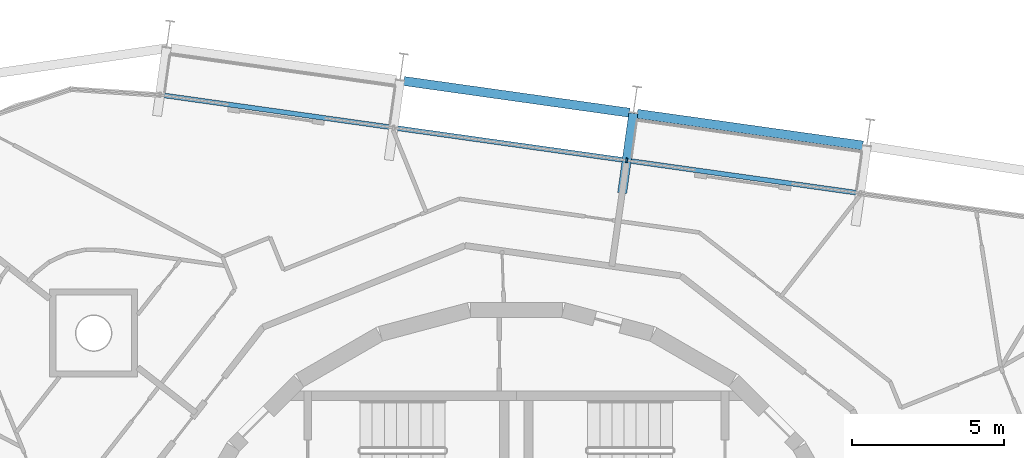
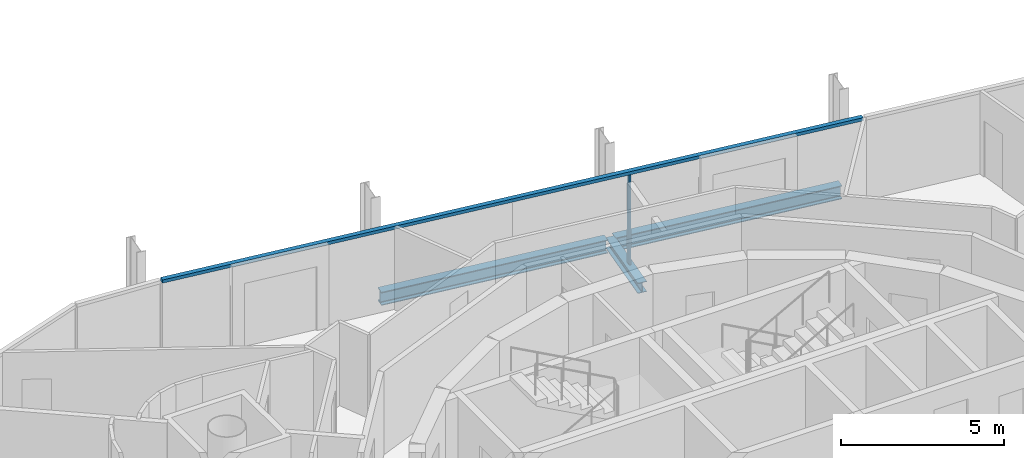
# One storey, part 6 of 15: 3 beams, 2 members, 1 element without a shape of its own.
"""IFC4 building model written with IfcOpenShell, lengths in metres."""

from ifc_helpers import new_model, si_unit, direction, frame, origin, origin_2d, place, context, subcontext, project, spatial, rectangle, i_section, extrude, material, layer, layer_set, material_profile, profile_set, type_object, element, aggregate, save


model = new_model("IFC4")

# Units and contexts
model_context = context("Model", 3, precision=1e-05, world=origin(), true_north=direction((0.0, 1.0)))
body_context = subcontext(model_context, "Body", "Model", "MODEL_VIEW")
ifc_project = project(units=[si_unit("LENGTHUNIT", "METRE"), si_unit("AREAUNIT", "SQUARE_METRE"), si_unit("VOLUMEUNIT", "CUBIC_METRE"), si_unit("PLANEANGLEUNIT", "RADIAN"), si_unit("MASSUNIT", "GRAM", prefix="KILO")], contexts=[model_context])

# Site, building, storey
site_placement = place(None, origin())
site = spatial("IfcSite", under=ifc_project, at=site_placement, CompositionType="ELEMENT")
building_placement = place(site_placement, origin())
building = spatial("IfcBuilding", under=site, at=building_placement, Name="Spindle Arch Residences", CompositionType="ELEMENT")
storey_placement = place(building_placement, frame((0.0, 0.0, 350.5)))
storey = spatial("IfcBuildingStorey", under=building, at=storey_placement, Name="L90", CompositionType="ELEMENT", Elevation=350.5)

# Curtain wall, members
ifc_material_1 = material(Name="Aluminium bronze unitised frame with tinted glass", Category="aluminium")
ifc_layer = layer(ifc_material_1, 0.159912109375)
ifc_layer_set = layer_set([ifc_layer], Name="CW-C typical residential unitised wall")
curtain_wall_type = type_object("IfcCurtainWallType", Name="CW-C typical residential unitised wall", PredefinedType="NOTDEFINED", material=ifc_layer_set)
curtain_wall_placement = place(storey_placement, origin())
curtain_wall = element("IfcCurtainWall", 1, at=curtain_wall_placement, inside=storey, type_object=curtain_wall_type, Name="CW-C L90 run 2", PredefinedType="NOTDEFINED")
ifc_material_2 = material(Name="Aluminium bronze anodised mullion", Category="aluminium")
ifc_material_profile_1 = material_profile(ifc_material_2, rectangle(XDim=0.159912109375, YDim=0.06005859375, at=origin_2d()), Name="MU 60x160")
ifc_profile_set_1 = profile_set([ifc_material_profile_1], Name="Aluminium bronze anodised mullion")
member_type_1 = type_object("IfcMemberType", Name="Bronze mullion 60x160", PredefinedType="MULLION", material=ifc_profile_set_1)
member_1_placement = place(storey_placement, frame((3.63623046875, 16.57373046875, -0.3798828125), z_axis=(0.0, 0.0, 1.0), x_axis=(-0.13917310096, -0.990268068742, 0.0)))
member_1 = element("IfcMember", 2, at=member_1_placement, type_object=member_type_1, Name="CW-C mullion 06", PredefinedType="MULLION", context=body_context, shape_type="SweptSolid", body=[
    extrude(rectangle(XDim=0.159912109375, YDim=0.06005859375, at=origin_2d()), origin(), (0.0, 0.0, 1.0), 3.3798828125),
])
ifc_material_3 = material(Name="Aluminium bronze anodised transom", Category="aluminium")
ifc_material_profile_2 = material_profile(ifc_material_3, rectangle(XDim=0.159912109375, YDim=0.1201171875, at=origin_2d()), Name="TR 120x160")
ifc_profile_set_2 = profile_set([ifc_material_profile_2], Name="Aluminium bronze anodised transom")
member_type_2 = type_object("IfcMemberType", Name="Bronze transom 120x160", PredefinedType="USERDEFINED", material=ifc_profile_set_2)
member_2_placement = place(storey_placement, frame((11.296630859375, 15.4970703125, 3.06005859375), z_axis=(-0.990268437621, 0.13917047622, 0.0), x_axis=(-0.13917047622, -0.990268437621, 0.0)))
member_2 = element("IfcMember", 3, at=member_2_placement, type_object=member_type_2, Name="CW-C transom 00", ObjectType="TRANSOM", PredefinedType="USERDEFINED", context=body_context, shape_type="SweptSolid", body=[
    extrude(rectangle(XDim=0.159912109375, YDim=0.1201171875, at=origin_2d()), origin(), (0.0, 0.0, 1.0), 23.23681640625),
])
aggregate(curtain_wall, [member_2, member_1])

# Beams
ifc_material_4 = material(Name="Steel S460ML, intumescent coating R 120", Category="steel")
ifc_material_profile_3 = material_profile(ifc_material_4, i_section(OverallWidth=0.300048828125, OverallDepth=0.5, WebThickness=0.014404296875, FlangeThickness=0.028076171875, FilletRadius=0.027099609375, at=origin_2d()), Name="HEB 500")
ifc_profile_set_3 = profile_set([ifc_material_profile_3], Name="Steel S460ML, intumescent coating R 120")
beam_type_1 = type_object("IfcBeamType", Name="Exoskeleton edge beam HEB 500", PredefinedType="BEAM", material=ifc_profile_set_3)
for number, where, z_axis, x_axis, name in (
    (4, (11.416015625, 17.065673828125, -0.6298828125), (-0.990266388354, 0.139185057015, 0.0), (-0.139185057015, -0.990266388354, 0.0), "Exoskeleton edge beam 6"),
    (5, (3.72607421875, 18.146484375, -0.6298828125), (-0.990270871131, 0.139153159463, 0.0), (-0.139153159463, -0.990270871131, 0.0), "Exoskeleton edge beam 7"),
):
    element("IfcBeam", number, at=place(storey_placement, frame(where, z_axis=z_axis, x_axis=x_axis)), inside=storey, type_object=beam_type_1, Name=name, PredefinedType="BEAM", context=body_context, shape_type="SweptSolid", body=[
        extrude(i_section(OverallWidth=0.300048828125, OverallDepth=0.5, WebThickness=0.014404296875, FlangeThickness=0.028076171875, FilletRadius=0.027099609375, at=origin_2d()), origin(), (0.0, 0.0, 1.0), 7.505615234375),
    ])
ifc_material_5 = material(Name="Steel S460ML, intumescent coating R 120", Category="steel")
ifc_material_profile_4 = material_profile(ifc_material_5, i_section(OverallWidth=0.300048828125, OverallDepth=0.389892578125, WebThickness=0.010986328125, FlangeThickness=0.01904296875, FilletRadius=0.027099609375, at=origin_2d()), Name="HEA 400")
ifc_profile_set_4 = profile_set([ifc_material_profile_4], Name="Steel S460ML, intumescent coating R 120")
beam_type_2 = type_object("IfcBeamType", Name="Floor outrigger HEA 400", PredefinedType="BEAM", material=ifc_profile_set_4)
beam_placement = place(storey_placement, frame((3.854736328125, 18.12841796875, -0.574951171875), z_axis=(-0.13911226088, -0.990276617351, 0.0), x_axis=(0.990276617351, -0.13911226088, 0.0)))
element("IfcBeam", 6, at=beam_placement, inside=storey, type_object=beam_type_2, Name="Floor outrigger 7", PredefinedType="BEAM", context=body_context, shape_type="SweptSolid", body=[
    extrude(i_section(OverallWidth=0.300048828125, OverallDepth=0.389892578125, WebThickness=0.010986328125, FlangeThickness=0.01904296875, FilletRadius=0.027099609375, at=origin_2d()), origin(), (0.0, 0.0, 1.0), 2.650146484375),
])

save(model, "model.ifc")
